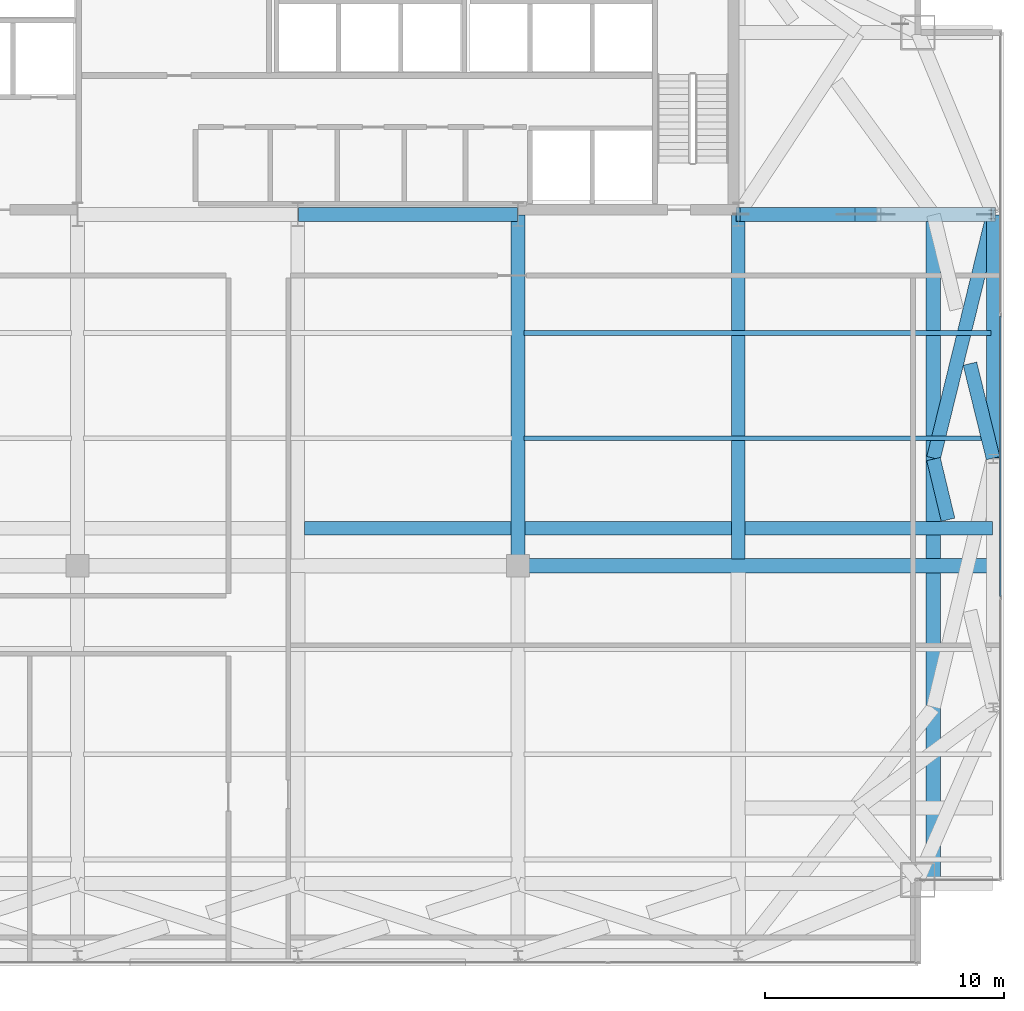
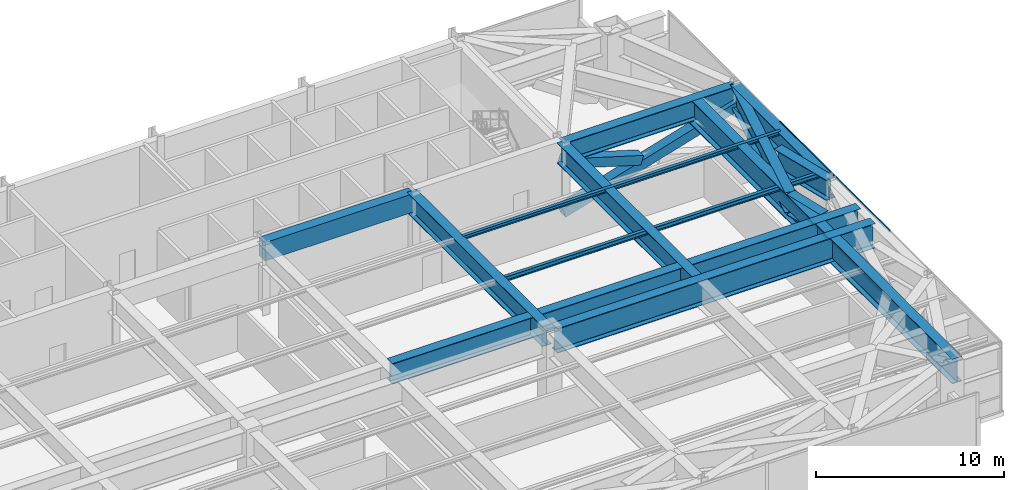
# One storey, part 19 of 32: 15 beams, 5 members, 1 element without a shape of its own.
"""IFC4 building model written with IfcOpenShell, lengths in metres."""

from ifc_helpers import new_model, si_unit, direction, frame, origin, origin_2d, place, context, subcontext, project, spatial, rectangle, hollow_rectangle, i_section, extrude, source, transform, mapped, material, layer, layer_set, material_profile, profile_set, type_object, type_shapes, element, aggregate, save


model = new_model("IFC4")

# Units and contexts
model_context = context("Model", 3, precision=1e-05, world=origin(), true_north=direction((0.0, 1.0)))
body_context = subcontext(model_context, "Body", "Model", "MODEL_VIEW")
ifc_project = project(units=[si_unit("LENGTHUNIT", "METRE"), si_unit("AREAUNIT", "SQUARE_METRE"), si_unit("VOLUMEUNIT", "CUBIC_METRE"), si_unit("PLANEANGLEUNIT", "RADIAN"), si_unit("MASSUNIT", "GRAM", prefix="KILO")], contexts=[model_context])

# Site, building, storey
site_placement = place(None, origin())
site = spatial("IfcSite", under=ifc_project, at=site_placement, CompositionType="ELEMENT")
building_placement = place(site_placement, origin())
building = spatial("IfcBuilding", under=site, at=building_placement, Name="Varnel Quay Broadcast Tower", CompositionType="ELEMENT")
storey_placement = place(building_placement, frame((0.0, 0.0, 141.0)))
storey = spatial("IfcBuildingStorey", under=building, at=storey_placement, Name="L34", CompositionType="ELEMENT", Elevation=141.0)

# Beams
ifc_material_1 = material(Name="Structural Steel CSA G40.21 350WT", Category="steel")
ifc_material_profile_1 = material_profile(ifc_material_1, i_section(OverallWidth=0.580078125, OverallDepth=1.330078125, WebThickness=0.02197265625, FlangeThickness=0.0380859375, FilletRadius=0.02001953125, at=origin_2d()), Name="WWF1330X535")
ifc_profile_set_1 = profile_set([ifc_material_profile_1], Name="Structural Steel CSA G40.21 350WT")
beam_type_1 = type_object("IfcBeamType", Name="Girder_WWF1330X535", PredefinedType="BEAM", material=ifc_profile_set_1)
shared_shape_1 = source(origin(), body_context, "Body", "SweptSolid", [
    extrude(i_section(OverallWidth=0.580078125, OverallDepth=1.330078125, WebThickness=0.02197265625, FlangeThickness=0.0380859375, FilletRadius=0.02001953125, at=origin_2d()), origin(), (0.0, 0.0, 1.0), 10.16015625),
])
beam_1_placement = place(storey_placement, frame((63.050048828125, 25.419921875, 3.885009765625), z_axis=(0.0, 1.0, 0.0), x_axis=(-1.0, 0.0, 0.0)))
element("IfcBeam", 1, at=beam_1_placement, inside=storey, type_object=beam_type_1, Name="L34 East Transfer Spine TC-E2-TC-E3", PredefinedType="BEAM", context=body_context, shape_type="MappedRepresentation", body=[
    mapped(shared_shape_1, transform((0.0, 0.0, 0.0), x_axis=(1.0, 0.0, 0.0), y_axis=(0.0, 1.0, 0.0), z_axis=(0.0, 0.0, 1.0), scale=1.0)),
])
ifc_material_2 = material(Name="Concrete CSA A23.3 C60/75", Category="concrete")
ifc_material_profile_2 = material_profile(ifc_material_2, rectangle(XDim=0.60009765625, YDim=1.199951171875, at=origin_2d()), Name="RC600X1200")
ifc_profile_set_2 = profile_set([ifc_material_profile_2], Name="Concrete CSA A23.3 C60/75")
beam_type_2 = type_object("IfcBeamType", Name="Beam_RC600X1200", PredefinedType="BEAM", material=ifc_profile_set_2)
shared_shape_2 = source(origin(), body_context, "Body", "SweptSolid", [
    extrude(rectangle(XDim=0.60009765625, YDim=1.199951171875, at=origin_2d()), origin(), (0.0, 0.0, 1.0), 9.159912109375),
])
type_shapes(beam_type_2, [shared_shape_2])
beam_2_placement = place(storey_placement, frame((34.02001953125, 35.60009765625, 3.949951171875), z_axis=(1.0, 0.0, 0.0), x_axis=(0.0, 1.0, 0.0)))
element("IfcBeam", 2, at=beam_2_placement, inside=storey, type_object=beam_type_2, Name="L34 Core Coupling Beam E", PredefinedType="BEAM", context=body_context, shape_type="MappedRepresentation", body=[
    mapped(shared_shape_2, transform((0.0, 0.0, 0.0), x_axis=(1.0, 0.0, 0.0), y_axis=(0.0, 1.0, 0.0), z_axis=(0.0, 0.0, 1.0), scale=1.0)),
])
shared_shape_3 = source(origin(), body_context, "Body", "SweptSolid", [
    extrude(i_section(OverallWidth=0.580078125, OverallDepth=1.330078125, WebThickness=0.02197265625, FlangeThickness=0.0380859375, FilletRadius=0.02001953125, at=origin_2d()), origin(), (0.0, 0.0, 1.0), 8.6298828125),
])
beam_3_placement = place(storey_placement, frame((43.485107421875, 22.489990234375, 3.885009765625), z_axis=(1.0, 0.0, 0.0), x_axis=(0.0, 1.0, 0.0)))
element("IfcBeam", 3, at=beam_3_placement, inside=storey, type_object=beam_type_1, Name="L34 Setback Interior Column Transfer 5", PredefinedType="BEAM", context=body_context, shape_type="MappedRepresentation", body=[
    mapped(shared_shape_3, transform((0.0, 0.0, 0.0), x_axis=(1.0, 0.0, 0.0), y_axis=(0.0, 1.0, 0.0), z_axis=(0.0, 0.0, 1.0), scale=1.0)),
])
shared_shape_4 = source(origin(), body_context, "Body", "SweptSolid", [
    extrude(i_section(OverallWidth=0.580078125, OverallDepth=1.330078125, WebThickness=0.02197265625, FlangeThickness=0.0380859375, FilletRadius=0.02001953125, at=origin_2d()), origin(), (0.0, 0.0, 1.0), 8.630126953125),
])
beam_4_placement = place(storey_placement, frame((34.284912109375, 22.489990234375, 3.885009765625), z_axis=(1.0, 0.0, 0.0), x_axis=(0.0, 1.0, 0.0)))
element("IfcBeam", 4, at=beam_4_placement, inside=storey, type_object=beam_type_1, Name="L34 Setback Interior Column Transfer 4", PredefinedType="BEAM", context=body_context, shape_type="MappedRepresentation", body=[
    mapped(shared_shape_4, transform((0.0, 0.0, 0.0), x_axis=(1.0, 0.0, 0.0), y_axis=(0.0, 1.0, 0.0), z_axis=(0.0, 0.0, 1.0), scale=1.0)),
])
shared_shape_5 = source(origin(), body_context, "Body", "SweptSolid", [
    extrude(i_section(OverallWidth=0.580078125, OverallDepth=1.330078125, WebThickness=0.02197265625, FlangeThickness=0.0380859375, FilletRadius=0.02001953125, at=origin_2d()), origin(), (0.0, 0.0, 1.0), 10.4619140625),
])
beam_5_placement = place(storey_placement, frame((63.045166015625, 35.58056640625, 3.885009765625), z_axis=(-0.238052489607, -0.971252290701, 0.0), x_axis=(0.971252290701, -0.238052489607, 0.0)))
element("IfcBeam", 5, at=beam_5_placement, inside=storey, type_object=beam_type_1, Name="L34 X-Braced Transfer Tie TC-E2-TC-E3", PredefinedType="BEAM", context=body_context, shape_type="MappedRepresentation", body=[
    mapped(shared_shape_5, transform((0.0, 0.0, 0.0), x_axis=(1.0, 0.0, 0.0), y_axis=(0.0, 1.0, 0.0), z_axis=(0.0, 0.0, 1.0), scale=1.0)),
])
shared_shape_6 = source(origin(), body_context, "Body", "SweptSolid", [
    extrude(i_section(OverallWidth=0.580078125, OverallDepth=1.330078125, WebThickness=0.02197265625, FlangeThickness=0.0380859375, FilletRadius=0.02001953125, at=origin_2d()), origin(), (0.0, 0.0, 1.0), 4.06298828125),
])
beam_6_placement = place(storey_placement, frame((63.045166015625, 25.41943359375, 3.885009765625), z_axis=(-0.238065394909, 0.97124912754, 0.0), x_axis=(-0.97124912754, -0.238065394909, 0.0)))
element("IfcBeam", 6, at=beam_6_placement, inside=storey, type_object=beam_type_1, Name="L34 X-Braced Transfer Tie TC-E3-TC-E2 Part 1", PredefinedType="BEAM", context=body_context, shape_type="MappedRepresentation", body=[
    mapped(shared_shape_6, transform((0.0, 0.0, 0.0), x_axis=(1.0, 0.0, 0.0), y_axis=(0.0, 1.0, 0.0), z_axis=(0.0, 0.0, 1.0), scale=1.0)),
])
shared_shape_7 = source(origin(), body_context, "Body", "SweptSolid", [
    extrude(i_section(OverallWidth=0.580078125, OverallDepth=1.330078125, WebThickness=0.02197265625, FlangeThickness=0.0380859375, FilletRadius=0.02001953125, at=origin_2d()), origin(), (0.0, 0.0, 1.0), 10.610107421875),
])
beam_7_placement = place(storey_placement, frame((52.419921875, 35.60009765625, 3.885009765625), z_axis=(1.0, 0.0, 0.0), x_axis=(0.0, 1.0, 0.0)))
element("IfcBeam", 7, at=beam_7_placement, inside=storey, type_object=beam_type_1, Name="L34 East Core Tie Transfer", PredefinedType="BEAM", context=body_context, shape_type="MappedRepresentation", body=[
    mapped(shared_shape_7, transform((0.0, 0.0, 0.0), x_axis=(1.0, 0.0, 0.0), y_axis=(0.0, 1.0, 0.0), z_axis=(0.0, 0.0, 1.0), scale=1.0)),
])
ifc_material_profile_3 = material_profile(ifc_material_1, i_section(OverallWidth=0.60009765625, OverallDepth=1.60009765625, WebThickness=0.02392578125, FlangeThickness=0.0419921875, FilletRadius=0.02197265625, at=origin_2d()), Name="WWF1600X620")
ifc_profile_set_3 = profile_set([ifc_material_profile_3], Name="Structural Steel CSA G40.21 350WT")
beam_type_3 = type_object("IfcBeamType", Name="Girder_WWF1600X620", PredefinedType="BEAM", material=ifc_profile_set_3)
shared_shape_8 = source(origin(), body_context, "Body", "SweptSolid", [
    extrude(i_section(OverallWidth=0.60009765625, OverallDepth=1.60009765625, WebThickness=0.02392578125, FlangeThickness=0.0419921875, FilletRadius=0.02197265625, at=origin_2d()), origin(), (0.0, 0.0, 1.0), 19.525146484375),
])
beam_8_placement = place(storey_placement, frame((43.5048828125, 20.929931640625, 3.75), z_axis=(1.0, 0.0, 0.0), x_axis=(0.0, 1.0, 0.0)))
element("IfcBeam", 8, at=beam_8_placement, inside=storey, type_object=beam_type_3, Name="L34 Mid Transfer Spine E", PredefinedType="BEAM", context=body_context, shape_type="MappedRepresentation", body=[
    mapped(shared_shape_8, transform((0.0, 0.0, 0.0), x_axis=(1.0, 0.0, 0.0), y_axis=(0.0, 1.0, 0.0), z_axis=(0.0, 0.0, 1.0), scale=1.0)),
])
shared_shape_9 = source(origin(), body_context, "Body", "SweptSolid", [
    extrude(i_section(OverallWidth=0.580078125, OverallDepth=1.330078125, WebThickness=0.02197265625, FlangeThickness=0.0380859375, FilletRadius=0.02001953125, at=origin_2d()), origin(), (0.0, 0.0, 1.0), 14.364990234375),
])
for number, where, z_axis, x_axis, name in (
    (9, (43.199951171875, 21.215087890625, 3.885009765625), (0.0, 1.0, 0.0), (-1.0, 0.0, 0.0), "L34 N-S Transfer Girder 4B"),
    (10, (52.39990234375, 21.215087890625, 3.885009765625), (0.0, 1.0, 0.0), (-1.0, 0.0, 0.0), "L34 N-S Transfer Girder 5B"),
):
    element("IfcBeam", number, at=place(storey_placement, frame(where, z_axis=z_axis, x_axis=x_axis)), inside=storey, type_object=beam_type_1, Name=name, PredefinedType="BEAM", context=body_context, shape_type="MappedRepresentation", body=[
        mapped(shared_shape_9, transform((0.0, 0.0, 0.0), x_axis=(1.0, 0.0, 0.0), y_axis=(0.0, 1.0, 0.0), z_axis=(0.0, 0.0, 1.0), scale=1.0)),
    ])
shared_shape_10 = source(origin(), body_context, "Body", "SweptSolid", [
    extrude(i_section(OverallWidth=0.580078125, OverallDepth=1.330078125, WebThickness=0.02197265625, FlangeThickness=0.0380859375, FilletRadius=0.02001953125, at=origin_2d()), origin(), (0.0, 0.0, 1.0), 10.344970703125),
])
beam_9_placement = place(storey_placement, frame((52.68505859375, 22.489990234375, 3.885009765625), z_axis=(1.0, 0.0, 0.0), x_axis=(0.0, 1.0, 0.0)))
element("IfcBeam", 11, at=beam_9_placement, inside=storey, type_object=beam_type_1, Name="L34 Setback Interior Column Transfer 6", PredefinedType="BEAM", context=body_context, shape_type="MappedRepresentation", body=[
    mapped(shared_shape_10, transform((0.0, 0.0, 0.0), x_axis=(1.0, 0.0, 0.0), y_axis=(0.0, 1.0, 0.0), z_axis=(0.0, 0.0, 1.0), scale=1.0)),
])
shared_shape_11 = source(origin(), body_context, "Body", "SweptSolid", [
    extrude(i_section(OverallWidth=0.60009765625, OverallDepth=1.60009765625, WebThickness=0.02392578125, FlangeThickness=0.0419921875, FilletRadius=0.02197265625, at=origin_2d()), origin(), (0.0, 0.0, 1.0), 27.91015625),
])
type_shapes(beam_type_3, [shared_shape_8, shared_shape_11])
beam_10_placement = place(storey_placement, frame((60.550048828125, 7.669921875, 3.75), z_axis=(0.0, 1.0, 0.0), x_axis=(-1.0, 0.0, 0.0)))
element("IfcBeam", 12, at=beam_10_placement, inside=storey, type_object=beam_type_3, Name="L34 Setback East Transfer Header", PredefinedType="BEAM", context=body_context, shape_type="MappedRepresentation", body=[
    mapped(shared_shape_11, transform((0.0, 0.0, 0.0), x_axis=(1.0, 0.0, 0.0), y_axis=(0.0, 1.0, 0.0), z_axis=(0.0, 0.0, 1.0), scale=1.0)),
])
shared_shape_12 = source(origin(), body_context, "Body", "SweptSolid", [
    extrude(i_section(OverallWidth=0.580078125, OverallDepth=1.330078125, WebThickness=0.02197265625, FlangeThickness=0.0380859375, FilletRadius=0.02001953125, at=origin_2d()), origin(), (0.0, 0.0, 1.0), 2.6064453125),
])
type_shapes(beam_type_1, [shared_shape_1, shared_shape_3, shared_shape_4, shared_shape_5, shared_shape_6, shared_shape_7, shared_shape_9, shared_shape_10, shared_shape_12])
beam_11_placement = place(storey_placement, frame((61.163818359375, 22.846435546875, 3.885009765625), z_axis=(-0.233709502741, 0.972306468316, 0.0), x_axis=(-0.972306468316, -0.233709502741, 0.0)))
element("IfcBeam", 13, at=beam_11_placement, inside=storey, type_object=beam_type_1, Name="L34 X-Braced Transfer Tie TC-E2-TC-E1 Part 2", PredefinedType="BEAM", context=body_context, shape_type="MappedRepresentation", body=[
    mapped(shared_shape_12, transform((0.0, 0.0, 0.0), x_axis=(1.0, 0.0, 0.0), y_axis=(0.0, 1.0, 0.0), z_axis=(0.0, 0.0, 1.0), scale=1.0)),
])
ifc_material_3 = material(Name="Structural Steel CSA G40.21 350W", Category="steel")
ifc_material_profile_4 = material_profile(ifc_material_3, i_section(OverallWidth=0.202880859375, OverallDepth=0.302978515625, WebThickness=0.007568359375, FlangeThickness=0.01318359375, FilletRadius=0.011962890625, at=origin_2d()), Name="W310X60")
ifc_profile_set_4 = profile_set([ifc_material_profile_4], Name="Structural Steel CSA G40.21 350W")
beam_type_4 = type_object("IfcBeamType", Name="Beam_W310X60", PredefinedType="JOIST", material=ifc_profile_set_4)
shared_shape_13 = source(origin(), body_context, "Body", "SweptSolid", [
    extrude(i_section(OverallWidth=0.202880859375, OverallDepth=0.302978515625, WebThickness=0.007568359375, FlangeThickness=0.01318359375, FilletRadius=0.011962890625, at=origin_2d()), origin(), (0.0, 0.0, 1.0), 19.51953125),
])
type_shapes(beam_type_4, [shared_shape_13])
beam_12_placement = place(storey_placement, frame((43.445068359375, 26.25, 4.3984375), z_axis=(1.0, 0.0, 0.0), x_axis=(0.0, 1.0, 0.0)))
element("IfcBeam", 14, at=beam_12_placement, inside=storey, type_object=beam_type_4, Name="L34 East Floor Joist 5", PredefinedType="JOIST", context=body_context, shape_type="MappedRepresentation", body=[
    mapped(shared_shape_13, transform((0.0, 0.0, 0.0), x_axis=(1.0, 0.0, 0.0), y_axis=(0.0, 1.0, 0.0), z_axis=(0.0, 0.0, 1.0), scale=1.0)),
])
ifc_material_profile_5 = material_profile(ifc_material_3, i_section(OverallWidth=0.201904296875, OverallDepth=0.2470703125, WebThickness=0.00732421875, FlangeThickness=0.010986328125, FilletRadius=0.010986328125, at=origin_2d()), Name="W250X49")
ifc_profile_set_5 = profile_set([ifc_material_profile_5], Name="Structural Steel CSA G40.21 350W")
beam_type_5 = type_object("IfcBeamType", Name="Beam_W250X49", PredefinedType="JOIST", material=ifc_profile_set_5)
shared_shape_14 = source(origin(), body_context, "Body", "SweptSolid", [
    extrude(i_section(OverallWidth=0.201904296875, OverallDepth=0.2470703125, WebThickness=0.00732421875, FlangeThickness=0.010986328125, FilletRadius=0.010986328125, at=origin_2d()), origin(), (0.0, 0.0, 1.0), 19.51953125),
])
type_shapes(beam_type_5, [shared_shape_14])
beam_13_placement = place(storey_placement, frame((43.445068359375, 30.64990234375, 4.426513671875), z_axis=(1.0, 0.0, 0.0), x_axis=(0.0, 1.0, 0.0)))
element("IfcBeam", 15, at=beam_13_placement, inside=storey, type_object=beam_type_5, Name="L34 East Floor Joist 6", PredefinedType="JOIST", context=body_context, shape_type="MappedRepresentation", body=[
    mapped(shared_shape_14, transform((0.0, 0.0, 0.0), x_axis=(1.0, 0.0, 0.0), y_axis=(0.0, 1.0, 0.0), z_axis=(0.0, 0.0, 1.0), scale=1.0)),
])

# Members
ifc_material_profile_6 = material_profile(ifc_material_1, hollow_rectangle(XDim=0.60009765625, YDim=0.60009765625, WallThickness=0.028076171875, at=origin_2d()), Name="BOX600X600X28")
ifc_profile_set_6 = profile_set([ifc_material_profile_6], Name="Structural Steel CSA G40.21 350WT")
member_type_1 = type_object("IfcMemberType", Name="Outrigger_BOX600X600X28", PredefinedType="BRACE", material=ifc_profile_set_6)
shared_shape_15 = source(origin(), body_context, "Body", "SweptSolid", [
    extrude(hollow_rectangle(XDim=0.60009765625, YDim=0.60009765625, WallThickness=0.028076171875, at=origin_2d()), origin(), (0.0, 0.0, 1.0), 11.126220703125),
])
member_1_placement = place(storey_placement, frame((52.39990234375, 35.60009765625, 0.02001953125), z_axis=(0.957207469255, 0.0, 0.289402592944), x_axis=(0.0, 1.0, 0.0)))
element("IfcMember", 16, at=member_1_placement, inside=storey, type_object=member_type_1, Name="L34 Outrigger E Continuous Diag A", PredefinedType="BRACE", context=body_context, shape_type="MappedRepresentation", body=[
    mapped(shared_shape_15, transform((0.0, 0.0, 0.0), x_axis=(1.0, 0.0, 0.0), y_axis=(0.0, 1.0, 0.0), z_axis=(0.0, 0.0, 1.0), scale=1.0)),
])
shared_shape_16 = source(origin(), body_context, "Body", "SweptSolid", [
    extrude(hollow_rectangle(XDim=0.60009765625, YDim=0.60009765625, WallThickness=0.028076171875, at=origin_2d()), origin(), (0.0, 0.0, 1.0), 4.99658203125),
])
type_shapes(member_type_1, [shared_shape_15, shared_shape_16])
member_2_placement = place(storey_placement, frame((57.1826171875, 35.60009765625, 1.7939453125), z_axis=(-0.95720544647, 0.0, 0.289409283279), x_axis=(0.0, -1.0, 0.0)))
element("IfcMember", 17, at=member_2_placement, inside=storey, type_object=member_type_1, Name="L34 Outrigger E Split Diag B2", PredefinedType="BRACE", context=body_context, shape_type="MappedRepresentation", body=[
    mapped(shared_shape_16, transform((0.0, 0.0, 0.0), x_axis=(1.0, 0.0, 0.0), y_axis=(0.0, 1.0, 0.0), z_axis=(0.0, 0.0, 1.0), scale=1.0)),
])

# Curtain wall, members
ifc_material_4 = material(Name="Anodised Bronze Aluminium 6063-T6", Category="aluminium")
ifc_layer = layer(ifc_material_4, 0.18994140625, Name="Anodised Bronze Aluminium 6063-T6")
ifc_layer_set = layer_set([ifc_layer], Name="Anodised Bronze Aluminium 6063-T6")
curtain_wall_type = type_object("IfcCurtainWallType", Name="CW_LowerTower", PredefinedType="NOTDEFINED", material=ifc_layer_set)
curtain_wall_placement = place(storey_placement, origin())
curtain_wall = element("IfcCurtainWall", 18, at=curtain_wall_placement, inside=storey, type_object=curtain_wall_type, Name="L34 East Unitised Curtain Wall", PredefinedType="NOTDEFINED")
ifc_material_profile_7 = material_profile(ifc_material_4, hollow_rectangle(XDim=0.06005859375, YDim=0.14501953125, WallThickness=0.00341796875, at=origin_2d()), Name="ALU60X145X3.5")
ifc_profile_set_7 = profile_set([ifc_material_profile_7], Name="Anodised Bronze Aluminium 6063-T6")
member_type_2 = type_object("IfcMemberType", Name="Tran_CWS-02", PredefinedType="USERDEFINED", material=ifc_profile_set_7)
shared_shape_17 = source(origin(), body_context, "Body", "SweptSolid", [
    extrude(hollow_rectangle(XDim=0.06005859375, YDim=0.14501953125, WallThickness=0.00341796875, at=origin_2d()), origin(), (0.0, 0.0, 1.0), 11.72998046875),
])
type_shapes(member_type_2, [shared_shape_17])
member_3_placement = place(storey_placement, frame((63.35009765625, 19.635009765625, 0.030029296875), z_axis=(0.0, 1.0, 0.0), x_axis=(-1.0, 0.0, 0.0)))
member_3 = element("IfcMember", 19, at=member_3_placement, type_object=member_type_2, Name="CWS-02 transom 2.1", ObjectType="TRANSOM", PredefinedType="USERDEFINED", context=body_context, shape_type="MappedRepresentation", body=[
    mapped(shared_shape_17, transform((0.0, 0.0, 0.0), x_axis=(1.0, 0.0, 0.0), y_axis=(0.0, 1.0, 0.0), z_axis=(0.0, 0.0, 1.0), scale=1.0)),
])
member_4_placement = place(storey_placement, frame((63.35009765625, 19.635009765625, 1.050048828125), z_axis=(0.0, 1.0, 0.0), x_axis=(-1.0, 0.0, 0.0)))
member_4 = element("IfcMember", 20, at=member_4_placement, type_object=member_type_2, Name="CWS-02 transom 2.2", ObjectType="TRANSOM", PredefinedType="USERDEFINED", context=body_context, shape_type="MappedRepresentation", body=[
    mapped(shared_shape_17, transform((0.0, 0.0, 0.0), x_axis=(1.0, 0.0, 0.0), y_axis=(0.0, 1.0, 0.0), z_axis=(0.0, 0.0, 1.0), scale=1.0)),
])
member_5_placement = place(storey_placement, frame((63.35009765625, 19.635009765625, 4.52001953125), z_axis=(0.0, 1.0, 0.0), x_axis=(-1.0, 0.0, 0.0)))
member_5 = element("IfcMember", 21, at=member_5_placement, type_object=member_type_2, Name="CWS-02 transom 2.3", ObjectType="TRANSOM", PredefinedType="USERDEFINED", context=body_context, shape_type="MappedRepresentation", body=[
    mapped(shared_shape_17, transform((0.0, 0.0, 0.0), x_axis=(1.0, 0.0, 0.0), y_axis=(0.0, 1.0, 0.0), z_axis=(0.0, 0.0, 1.0), scale=1.0)),
])
aggregate(curtain_wall, [member_3, member_4, member_5])

save(model, "model.ifc")
